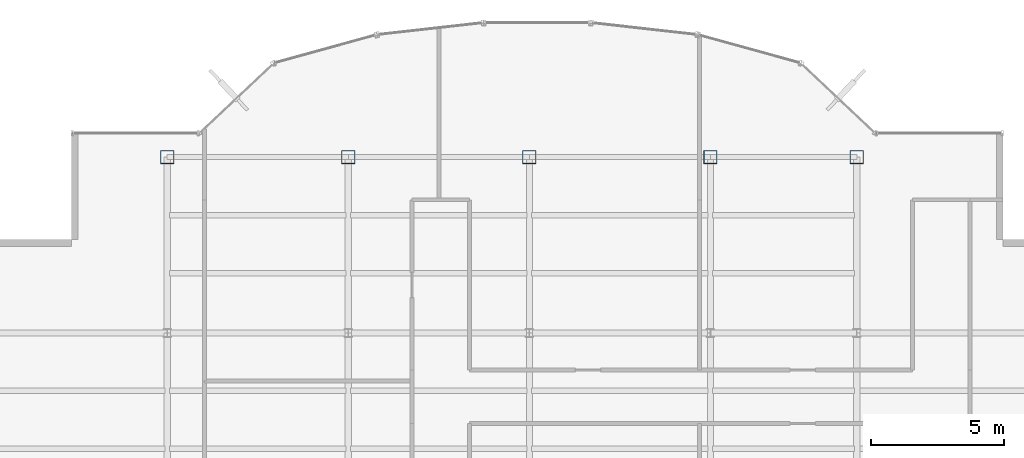
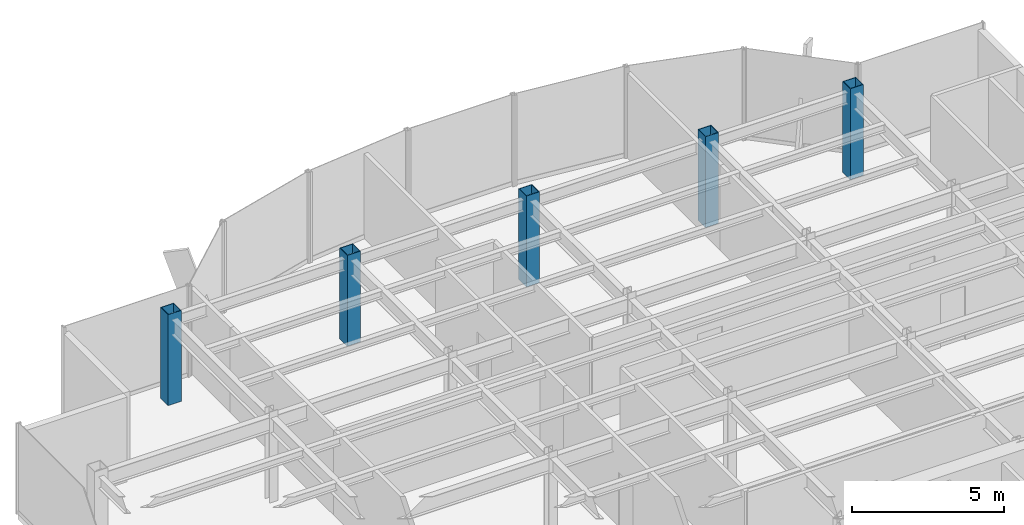
# One storey, part 2 of 22: 5 columns.
"""IFC4 building model written with IfcOpenShell, lengths in metres."""

import ifcopenshell
import ifcopenshell.guid

model = None  # the IFC model being written
_history = None  # IfcOwnerHistory: only IFC2X3 demands one
_inside = {}  # id of a spatial element -> (the spatial element, [elements in it])
_under = {}  # id of a project, library or spatial element -> (it, [spatial elements below it])
_declared = {}  # id of a project -> (the project, [libraries it declares])
_typed = {}  # id of a type object -> (the type object, [elements of that type])
_made_of = {}  # id of a material, layer set ... -> (it, [elements and type objects made of it])


def new_model(schema):
    """Start an empty IFC model of exactly this schema.

    Asked for "IFC4X3", IfcOpenShell would pick the latest addendum, in which some entities
    have other attributes; the version numbers below select the first issue.
    IFC2X3 requires an IfcOwnerHistory on every rooted entity: one is made here for all.
    """
    global model, _history
    if schema == "IFC4X3":
        model = ifcopenshell.file(schema_version=(4, 3, 0, 0))
    else:
        model = ifcopenshell.file(schema=schema)
    _inside.clear()
    _under.clear()
    _declared.clear()
    _typed.clear()
    _made_of.clear()
    _history = None
    if model.schema == "IFC2X3":
        org = make("IfcOrganization", Name="unknown")
        user = make(
            "IfcPersonAndOrganization",
            ThePerson=make("IfcPerson", FamilyName="unknown"),
            TheOrganization=org,
        )
        app = make(
            "IfcApplication",
            ApplicationDeveloper=org,
            Version="unknown",
            ApplicationFullName="unknown",
            ApplicationIdentifier="unknown",
        )
        _history = make(
            "IfcOwnerHistory",
            OwningUser=user,
            OwningApplication=app,
            ChangeAction="ADDED",
            CreationDate=0,
        )
    return model


def make(cls, **values):
    """One entity of the class cls with the attributes given. An attribute that is None is left unset."""
    return model.create_entity(
        cls, **{name: value for name, value in values.items() if value is not None}
    )


def rooted(cls, **values):
    """An entity with a GlobalId (a new one), such as an element, a storey or a relation."""
    return make(cls, GlobalId=ifcopenshell.guid.new(), OwnerHistory=_history, **values)


def si_unit(unit_type, name, prefix=None):
    """IfcSIUnit, for example si_unit("LENGTHUNIT", "METRE", prefix="MILLI")."""
    return make("IfcSIUnit", UnitType=unit_type, Prefix=prefix, Name=name)


def derived_unit(unit_type, elements):
    """IfcDerivedUnit: a product of units, each with its exponent."""
    return make(
        "IfcDerivedUnit",
        Elements=[
            make("IfcDerivedUnitElement", Unit=unit, Exponent=power)
            for unit, power in elements
        ],
        UnitType=unit_type,
    )


def assignment(units):
    """IfcUnitAssignment: the units of a project."""
    return None if units is None else make("IfcUnitAssignment", Units=units)


def point(xyz):
    """IfcCartesianPoint."""
    return None if xyz is None else make("IfcCartesianPoint", Coordinates=xyz)


def direction(xyz):
    """IfcDirection."""
    return None if xyz is None else make("IfcDirection", DirectionRatios=xyz)


def frame(location, z_axis=None, x_axis=None):
    """IfcAxis2Placement3D, a coordinate frame: its origin and axes. An axis left out is left unset."""
    return make(
        "IfcAxis2Placement3D",
        Location=point(location),
        Axis=direction(z_axis),
        RefDirection=direction(x_axis),
    )


def frame_2d(location, x_axis=None):
    """IfcAxis2Placement2D, a coordinate frame in the plane: its origin and x axis."""
    return make(
        "IfcAxis2Placement2D", Location=point(location), RefDirection=direction(x_axis)
    )


def origin():
    """The frame at (0, 0, 0) with its axes left unset."""
    return frame((0.0, 0.0, 0.0))


def origin_2d():
    """The frame at (0, 0) in the plane with its x axis left unset."""
    return frame_2d((0.0, 0.0))


def place(relative_to, where):
    """IfcLocalPlacement: puts the frame where relative to a parent placement (None: the world)."""
    return make(
        "IfcLocalPlacement", PlacementRelTo=relative_to, RelativePlacement=where
    )


def context(
    kind, dimensions, precision=None, world=None, true_north=None, identifier=None
):
    """IfcGeometricRepresentationContext, for example the 3D "Model" context."""
    return make(
        "IfcGeometricRepresentationContext",
        ContextIdentifier=identifier,
        ContextType=kind,
        CoordinateSpaceDimension=dimensions,
        Precision=precision,
        WorldCoordinateSystem=world,
        TrueNorth=true_north,
    )


def subcontext(parent, identifier, kind, view, scale=None):
    """IfcGeometricRepresentationSubContext, for example "Body" below "Model"."""
    return make(
        "IfcGeometricRepresentationSubContext",
        ContextIdentifier=identifier,
        ContextType=kind,
        ParentContext=parent,
        TargetScale=scale,
        TargetView=view,
    )


def project(units=None, contexts=None):
    """IfcProject with its units and contexts."""
    return rooted(
        "IfcProject",
        Name="project",
        RepresentationContexts=contexts,
        UnitsInContext=assignment(units),
    )


def spatial(cls, under=None, at=None, **own):
    """A site, building, storey or space (cls), placed at a placement, below another one or the project."""
    s = rooted(cls, ObjectPlacement=at, **own)
    if under is not None:
        _under.setdefault(under.id(), (under, []))[1].append(s)
    return s


def profile(cls, at=None, kind="AREA", **sizes):
    """A parametric profile (cls). Its sizes go by their IFC names, for example OverallWidth=200.0."""
    return make(cls, ProfileType=kind, Position=at, **sizes)


def hollow_rectangle(**sizes):
    """IfcRectangleHollowProfileDef."""
    return profile("IfcRectangleHollowProfileDef", **sizes)


def extrude(swept, where, along, depth):
    """IfcExtrudedAreaSolid: the profile swept, set in the frame where, extruded along a direction by depth."""
    return make(
        "IfcExtrudedAreaSolid",
        SweptArea=swept,
        Position=where,
        ExtrudedDirection=direction(along),
        Depth=depth,
    )


def shape(context_of_items, identifier, shape_type, items):
    """IfcShapeRepresentation: the items that make up one representation, for example the "Body"."""
    return make(
        "IfcShapeRepresentation",
        ContextOfItems=context_of_items,
        RepresentationIdentifier=identifier,
        RepresentationType=shape_type,
        Items=items,
    )


def source(mapping_origin, context_of_items, identifier, shape_type, items):
    """IfcRepresentationMap: a shape defined once, which mapped items show again and again."""
    return make(
        "IfcRepresentationMap",
        MappingOrigin=mapping_origin,
        MappedRepresentation=shape(context_of_items, identifier, shape_type, items),
    )


def transform(
    local_origin,
    x_axis=None,
    y_axis=None,
    z_axis=None,
    scale=None,
    scale2=None,
    scale3=None,
    uniform=True,
):
    """IfcCartesianTransformationOperator3D, or its non-uniform kind. x_axis, y_axis, z_axis: its Axis1, 2, 3."""
    if uniform:
        return make(
            "IfcCartesianTransformationOperator3D",
            Axis1=direction(x_axis),
            Axis2=direction(y_axis),
            LocalOrigin=point(local_origin),
            Scale=scale,
            Axis3=direction(z_axis),
        )
    return make(
        "IfcCartesianTransformationOperator3DnonUniform",
        Axis1=direction(x_axis),
        Axis2=direction(y_axis),
        LocalOrigin=point(local_origin),
        Scale=scale,
        Axis3=direction(z_axis),
        Scale2=scale2,
        Scale3=scale3,
    )


def mapped(mapping_source, mapping_target):
    """IfcMappedItem: shows the shape of a source again, moved by a transform."""
    return make(
        "IfcMappedItem", MappingSource=mapping_source, MappingTarget=mapping_target
    )


def material(Name=None, Category=None):
    """IfcMaterial."""
    return make("IfcMaterial", Name=Name, Category=Category)


def material_profile(
    of_material, cross_section, Name=None, Category=None, Priority=None
):
    """IfcMaterialProfile: a cross section and its material."""
    return make(
        "IfcMaterialProfile",
        Name=Name,
        Material=of_material,
        Profile=cross_section,
        Priority=Priority,
        Category=Category,
    )


def profile_set(profiles, Name=None, composite=None):
    """IfcMaterialProfileSet."""
    return make(
        "IfcMaterialProfileSet",
        Name=Name,
        MaterialProfiles=profiles,
        CompositeProfile=composite,
    )


def made_of(thing, what):
    """Note that an element or type object is made of a material, layer set ...; save() writes the relation."""
    if what is not None:
        _made_of.setdefault(what.id(), (what, []))[1].append(thing)
    return thing


def type_object(cls, material=None, **own):
    """A type object (cls), such as IfcWallType, which elements share."""
    return made_of(rooted(cls, **own), material)


def element(
    cls,
    number,
    at=None,
    inside=None,
    cuts=None,
    type_object=None,
    material=None,
    context=None,
    identifier="Body",
    shape_type=None,
    held_by="IfcProductDefinitionShape",
    body=None,
    shapes=None,
    **own,
):
    """One element of the class cls, such as IfcWall. Its Tag is "e" and its number.

    at: its placement. inside: the storey or other place that contains it. cuts: it is an
    opening in that element (IfcRelVoidsElement). A single representation is given by context,
    identifier, shape_type and body (its items); several are given by shapes. held_by: the class
    of the entity that holds the representations. save() writes the other relations.
    """
    e = rooted(cls, Tag="e%d" % number, ObjectPlacement=at, **own)
    if body is not None:
        shapes = [shape(context, identifier, shape_type, body)]
    if shapes is not None:
        e.Representation = make(held_by, Representations=shapes)
    if inside is not None:
        _inside.setdefault(inside.id(), (inside, []))[1].append(e)
    if cuts is not None:
        rooted(
            "IfcRelVoidsElement", RelatingBuildingElement=cuts, RelatedOpeningElement=e
        )
    if type_object is not None:
        _typed.setdefault(type_object.id(), (type_object, []))[1].append(e)
    return made_of(e, material)


def aggregate(whole, parts):
    """IfcRelAggregates: a whole, such as a stair, and the parts it consists of."""
    return rooted("IfcRelAggregates", RelatingObject=whole, RelatedObjects=parts)


def save(model, path):
    """Write the relations noted so far, then the file.

    IfcRelAggregates (storeys below a building ...), IfcRelContainedInSpatialStructure (elements
    in a storey), IfcRelDefinesByType, IfcRelAssociatesMaterial and IfcRelDeclares: one each for
    every whole, place, type object, material and project.
    """
    for whole, parts in _under.values():
        aggregate(whole, parts)
    for where, things in _inside.values():
        rooted(
            "IfcRelContainedInSpatialStructure",
            RelatedElements=things,
            RelatingStructure=where,
        )
    for kind, things in _typed.values():
        rooted("IfcRelDefinesByType", RelatedObjects=things, RelatingType=kind)
    for what, things in _made_of.values():
        rooted("IfcRelAssociatesMaterial", RelatedObjects=things, RelatingMaterial=what)
    for by, libraries in _declared.values():
        rooted("IfcRelDeclares", RelatingContext=by, RelatedDefinitions=libraries)
    model.write(path)


model = new_model("IFC4")

# Units and contexts
model_context = context("Model", 3, precision=1e-05, world=origin(), true_north=direction((0.0, 1.0)))
body_context = subcontext(model_context, "Body", "Model", "MODEL_VIEW")
ifc_project = project(units=[si_unit("LENGTHUNIT", "METRE"), si_unit("AREAUNIT", "SQUARE_METRE"), si_unit("VOLUMEUNIT", "CUBIC_METRE"), si_unit("PLANEANGLEUNIT", "RADIAN"), si_unit("MASSUNIT", "GRAM", prefix="KILO"), derived_unit("THERMALTRANSMITTANCEUNIT", [(si_unit("POWERUNIT", "WATT"), 1), (si_unit("LENGTHUNIT", "METRE"), -2), (si_unit("THERMODYNAMICTEMPERATUREUNIT", "KELVIN"), -1)])], contexts=[model_context])

# Site, building, storey
site_placement = place(None, origin())
site = spatial("IfcSite", under=ifc_project, at=site_placement, CompositionType="ELEMENT")
building_placement = place(site_placement, origin())
building = spatial("IfcBuilding", under=site, at=building_placement, Name="Skarnbrae Concourse Arena and Tower", CompositionType="ELEMENT")
storey_placement = place(building_placement, frame((0.0, 0.0, 258.800048828125)))
storey = spatial("IfcBuildingStorey", under=building, at=storey_placement, Name="L67", CompositionType="ELEMENT", Elevation=258.800048828125)

# Columns
ifc_material = material(Name="Steel CSA G40.21 350W", Category="steel")
ifc_material_profile = material_profile(ifc_material, hollow_rectangle(XDim=0.5, YDim=0.5, WallThickness=0.02197265625, at=origin_2d()), Name="HSS500X500X22.0")
ifc_profile_set = profile_set([ifc_material_profile], Name="Steel CSA G40.21 350W")
column_type = type_object("IfcColumnType", Name="COL-TUBE-HSS500", PredefinedType="COLUMN", material=ifc_profile_set)
shared_shape = source(origin(), body_context, "Body", "SweptSolid", [
    extrude(hollow_rectangle(XDim=0.5, YDim=0.5, WallThickness=0.02197265625, at=origin_2d()), origin(), (0.0, 0.0, 1.0), 3.64990234375),
])
for number, where, z_axis, x_axis, name in (
    (1, (7.60009765625, 34.39990234375, 0.0), (0.0, 0.0, 1.0), (1.0, 0.0, 0.0), "L67 Tower column PC_02_05"),
    (2, (14.39990234375, 34.39990234375, 0.0), (0.0, 0.0, 1.0), (1.0, 0.0, 0.0), "L67 Tower column PC_03_05"),
    (3, (21.199951171875, 34.39990234375, 0.0), (0.0, 0.0, 1.0), (1.0, 0.0, 0.0), "L67 Tower column PC_04_05"),
    (4, (28.0, 34.39990234375, 0.0), (0.0, 0.0, 1.0), (1.0, 0.0, 0.0), "L67 Tower column PC_05_05"),
    (5, (33.5, 34.39990234375, 0.0), (0.0, 0.0, 1.0), (1.0, 0.0, 0.0), "L67 Tower column PC_06_05"),
):
    element("IfcColumn", number, at=place(storey_placement, frame(where, z_axis=z_axis, x_axis=x_axis)), inside=storey, type_object=column_type, Name=name, PredefinedType="COLUMN", context=body_context, shape_type="MappedRepresentation", body=[
        mapped(shared_shape, transform((0.0, 0.0, 0.0))),
    ])

save(model, "model.ifc")
